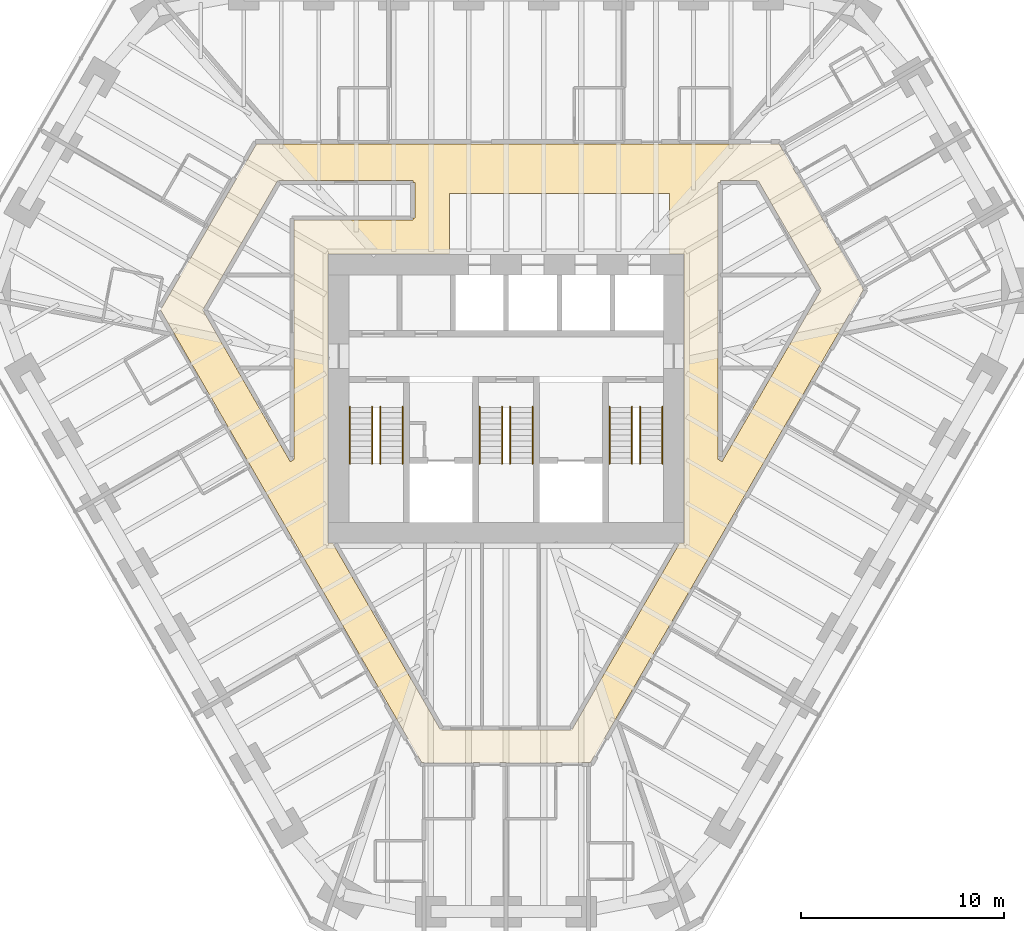
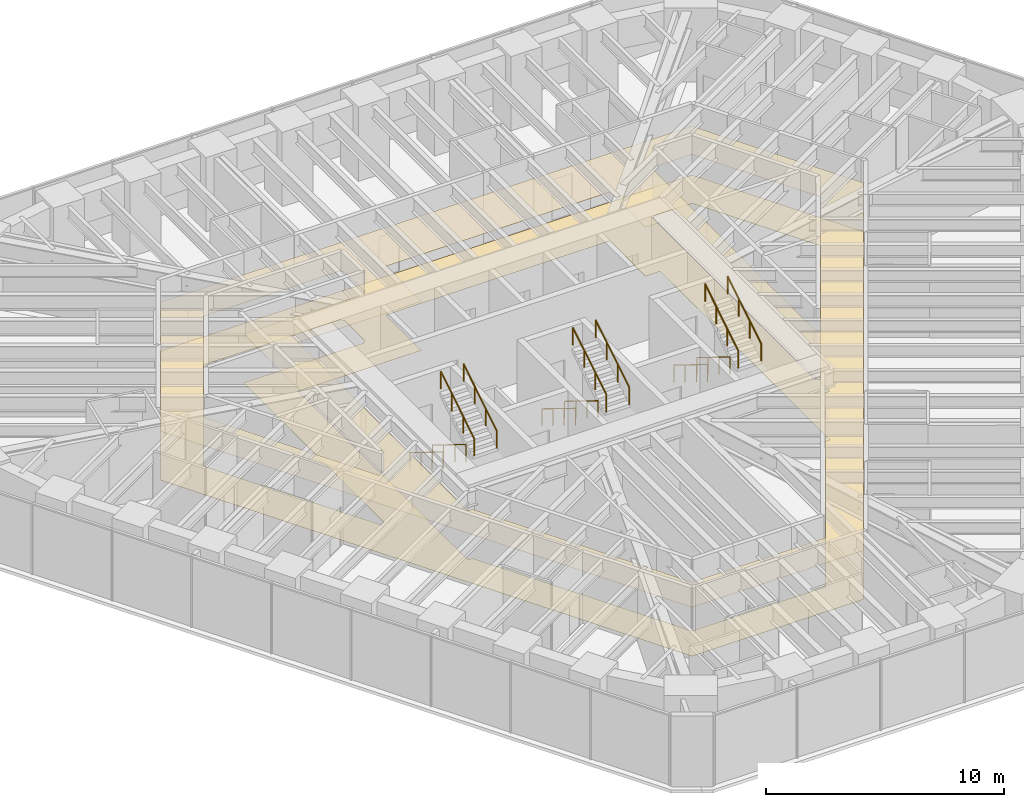
# One storey, part 17 of 17: 12 railings, 2 coverings.
"""IFC4 building model written with IfcOpenShell, lengths in metres."""

import ifcopenshell
import ifcopenshell.guid

model = None  # the IFC model being written
_history = None  # IfcOwnerHistory: only IFC2X3 demands one
_inside = {}  # id of a spatial element -> (the spatial element, [elements in it])
_under = {}  # id of a project, library or spatial element -> (it, [spatial elements below it])
_declared = {}  # id of a project -> (the project, [libraries it declares])
_typed = {}  # id of a type object -> (the type object, [elements of that type])
_made_of = {}  # id of a material, layer set ... -> (it, [elements and type objects made of it])


def new_model(schema):
    """Start an empty IFC model of exactly this schema.

    Asked for "IFC4X3", IfcOpenShell would pick the latest addendum, in which some entities
    have other attributes; the version numbers below select the first issue.
    IFC2X3 requires an IfcOwnerHistory on every rooted entity: one is made here for all.
    """
    global model, _history
    if schema == "IFC4X3":
        model = ifcopenshell.file(schema_version=(4, 3, 0, 0))
    else:
        model = ifcopenshell.file(schema=schema)
    _inside.clear()
    _under.clear()
    _declared.clear()
    _typed.clear()
    _made_of.clear()
    _history = None
    if model.schema == "IFC2X3":
        org = make("IfcOrganization", Name="unknown")
        user = make(
            "IfcPersonAndOrganization",
            ThePerson=make("IfcPerson", FamilyName="unknown"),
            TheOrganization=org,
        )
        app = make(
            "IfcApplication",
            ApplicationDeveloper=org,
            Version="unknown",
            ApplicationFullName="unknown",
            ApplicationIdentifier="unknown",
        )
        _history = make(
            "IfcOwnerHistory",
            OwningUser=user,
            OwningApplication=app,
            ChangeAction="ADDED",
            CreationDate=0,
        )
    return model


def make(cls, **values):
    """One entity of the class cls with the attributes given. An attribute that is None is left unset."""
    return model.create_entity(
        cls, **{name: value for name, value in values.items() if value is not None}
    )


def rooted(cls, **values):
    """An entity with a GlobalId (a new one), such as an element, a storey or a relation."""
    return make(cls, GlobalId=ifcopenshell.guid.new(), OwnerHistory=_history, **values)


def si_unit(unit_type, name, prefix=None):
    """IfcSIUnit, for example si_unit("LENGTHUNIT", "METRE", prefix="MILLI")."""
    return make("IfcSIUnit", UnitType=unit_type, Prefix=prefix, Name=name)


def assignment(units):
    """IfcUnitAssignment: the units of a project."""
    return None if units is None else make("IfcUnitAssignment", Units=units)


def point(xyz):
    """IfcCartesianPoint."""
    return None if xyz is None else make("IfcCartesianPoint", Coordinates=xyz)


def direction(xyz):
    """IfcDirection."""
    return None if xyz is None else make("IfcDirection", DirectionRatios=xyz)


def frame(location, z_axis=None, x_axis=None):
    """IfcAxis2Placement3D, a coordinate frame: its origin and axes. An axis left out is left unset."""
    return make(
        "IfcAxis2Placement3D",
        Location=point(location),
        Axis=direction(z_axis),
        RefDirection=direction(x_axis),
    )


def frame_2d(location, x_axis=None):
    """IfcAxis2Placement2D, a coordinate frame in the plane: its origin and x axis."""
    return make(
        "IfcAxis2Placement2D", Location=point(location), RefDirection=direction(x_axis)
    )


def origin():
    """The frame at (0, 0, 0) with its axes left unset."""
    return frame((0.0, 0.0, 0.0))


def origin_2d():
    """The frame at (0, 0) in the plane with its x axis left unset."""
    return frame_2d((0.0, 0.0))


def place(relative_to, where):
    """IfcLocalPlacement: puts the frame where relative to a parent placement (None: the world)."""
    return make(
        "IfcLocalPlacement", PlacementRelTo=relative_to, RelativePlacement=where
    )


def context(
    kind, dimensions, precision=None, world=None, true_north=None, identifier=None
):
    """IfcGeometricRepresentationContext, for example the 3D "Model" context."""
    return make(
        "IfcGeometricRepresentationContext",
        ContextIdentifier=identifier,
        ContextType=kind,
        CoordinateSpaceDimension=dimensions,
        Precision=precision,
        WorldCoordinateSystem=world,
        TrueNorth=true_north,
    )


def subcontext(parent, identifier, kind, view, scale=None):
    """IfcGeometricRepresentationSubContext, for example "Body" below "Model"."""
    return make(
        "IfcGeometricRepresentationSubContext",
        ContextIdentifier=identifier,
        ContextType=kind,
        ParentContext=parent,
        TargetScale=scale,
        TargetView=view,
    )


def project(units=None, contexts=None):
    """IfcProject with its units and contexts."""
    return rooted(
        "IfcProject",
        Name="project",
        RepresentationContexts=contexts,
        UnitsInContext=assignment(units),
    )


def spatial(cls, under=None, at=None, **own):
    """A site, building, storey or space (cls), placed at a placement, below another one or the project."""
    s = rooted(cls, ObjectPlacement=at, **own)
    if under is not None:
        _under.setdefault(under.id(), (under, []))[1].append(s)
    return s


def polyline(points):
    """IfcPolyline through the points."""
    return make("IfcPolyline", Points=[point(p) for p in points])


def profile(cls, at=None, kind="AREA", **sizes):
    """A parametric profile (cls). Its sizes go by their IFC names, for example OverallWidth=200.0."""
    return make(cls, ProfileType=kind, Position=at, **sizes)


def circle(**sizes):
    """IfcCircleProfileDef."""
    return profile("IfcCircleProfileDef", **sizes)


def outline(outer, holes=None, kind="AREA"):
    """IfcArbitraryClosedProfileDef: a profile drawn as a closed curve; with holes, ...WithVoids."""
    if holes is None:
        return make("IfcArbitraryClosedProfileDef", ProfileType=kind, OuterCurve=outer)
    return make(
        "IfcArbitraryProfileDefWithVoids",
        ProfileType=kind,
        OuterCurve=outer,
        InnerCurves=holes,
    )


def extrude(swept, where, along, depth):
    """IfcExtrudedAreaSolid: the profile swept, set in the frame where, extruded along a direction by depth."""
    return make(
        "IfcExtrudedAreaSolid",
        SweptArea=swept,
        Position=where,
        ExtrudedDirection=direction(along),
        Depth=depth,
    )


def shape(context_of_items, identifier, shape_type, items):
    """IfcShapeRepresentation: the items that make up one representation, for example the "Body"."""
    return make(
        "IfcShapeRepresentation",
        ContextOfItems=context_of_items,
        RepresentationIdentifier=identifier,
        RepresentationType=shape_type,
        Items=items,
    )


def material(Name=None, Category=None):
    """IfcMaterial."""
    return make("IfcMaterial", Name=Name, Category=Category)


def layer(
    of_material, thickness, ventilated=None, Name=None, Category=None, Priority=None
):
    """IfcMaterialLayer: one layer of a wall or slab, of a material (None: an air gap)."""
    return make(
        "IfcMaterialLayer",
        Material=of_material,
        LayerThickness=thickness,
        IsVentilated=ventilated,
        Name=Name,
        Category=Category,
        Priority=Priority,
    )


def layer_set(layers, Name=None):
    """IfcMaterialLayerSet."""
    return make("IfcMaterialLayerSet", MaterialLayers=layers, LayerSetName=Name)


def made_of(thing, what):
    """Note that an element or type object is made of a material, layer set ...; save() writes the relation."""
    if what is not None:
        _made_of.setdefault(what.id(), (what, []))[1].append(thing)
    return thing


def type_object(cls, material=None, **own):
    """A type object (cls), such as IfcWallType, which elements share."""
    return made_of(rooted(cls, **own), material)


def element(
    cls,
    number,
    at=None,
    inside=None,
    cuts=None,
    type_object=None,
    material=None,
    context=None,
    identifier="Body",
    shape_type=None,
    held_by="IfcProductDefinitionShape",
    body=None,
    shapes=None,
    **own,
):
    """One element of the class cls, such as IfcWall. Its Tag is "e" and its number.

    at: its placement. inside: the storey or other place that contains it. cuts: it is an
    opening in that element (IfcRelVoidsElement). A single representation is given by context,
    identifier, shape_type and body (its items); several are given by shapes. held_by: the class
    of the entity that holds the representations. save() writes the other relations.
    """
    e = rooted(cls, Tag="e%d" % number, ObjectPlacement=at, **own)
    if body is not None:
        shapes = [shape(context, identifier, shape_type, body)]
    if shapes is not None:
        e.Representation = make(held_by, Representations=shapes)
    if inside is not None:
        _inside.setdefault(inside.id(), (inside, []))[1].append(e)
    if cuts is not None:
        rooted(
            "IfcRelVoidsElement", RelatingBuildingElement=cuts, RelatedOpeningElement=e
        )
    if type_object is not None:
        _typed.setdefault(type_object.id(), (type_object, []))[1].append(e)
    return made_of(e, material)


def aggregate(whole, parts):
    """IfcRelAggregates: a whole, such as a stair, and the parts it consists of."""
    return rooted("IfcRelAggregates", RelatingObject=whole, RelatedObjects=parts)


def save(model, path):
    """Write the relations noted so far, then the file.

    IfcRelAggregates (storeys below a building ...), IfcRelContainedInSpatialStructure (elements
    in a storey), IfcRelDefinesByType, IfcRelAssociatesMaterial and IfcRelDeclares: one each for
    every whole, place, type object, material and project.
    """
    for whole, parts in _under.values():
        aggregate(whole, parts)
    for where, things in _inside.values():
        rooted(
            "IfcRelContainedInSpatialStructure",
            RelatedElements=things,
            RelatingStructure=where,
        )
    for kind, things in _typed.values():
        rooted("IfcRelDefinesByType", RelatedObjects=things, RelatingType=kind)
    for what, things in _made_of.values():
        rooted("IfcRelAssociatesMaterial", RelatedObjects=things, RelatingMaterial=what)
    for by, libraries in _declared.values():
        rooted("IfcRelDeclares", RelatingContext=by, RelatedDefinitions=libraries)
    model.write(path)


model = new_model("IFC4")

# Units and contexts
model_context = context("Model", 3, precision=1e-05, world=origin(), true_north=direction((0.0, 1.0)))
body_context = subcontext(model_context, "Body", "Model", "MODEL_VIEW")
ifc_project = project(units=[si_unit("LENGTHUNIT", "METRE"), si_unit("AREAUNIT", "SQUARE_METRE"), si_unit("VOLUMEUNIT", "CUBIC_METRE"), si_unit("PLANEANGLEUNIT", "RADIAN"), si_unit("MASSUNIT", "GRAM", prefix="KILO")], contexts=[model_context])

# Site, building, storey
site_placement = place(None, origin())
site = spatial("IfcSite", under=ifc_project, at=site_placement, CompositionType="ELEMENT")
building_placement = place(site_placement, origin())
building = spatial("IfcBuilding", under=site, at=building_placement, Name="Sandreach Pilgrim Tower", CompositionType="ELEMENT")
storey_placement = place(building_placement, frame((0.0, 0.0, 221.199951171875)))
storey = spatial("IfcBuildingStorey", under=building, at=storey_placement, Name="L55", CompositionType="ELEMENT", Elevation=221.199951171875)

# Coverings
ifc_material_1 = material(Name="Nylon carpet tile on the slab", Category="textile")
ifc_layer_1 = layer(ifc_material_1, 0.008056640625)
ifc_layer_set_1 = layer_set([ifc_layer_1], Name="Carpet tile")
covering_type_1 = type_object("IfcCoveringType", Name="Carpet tile", PredefinedType="FLOORING", material=ifc_layer_set_1)
covering_1_placement = place(storey_placement, origin())
element("IfcCovering", 1, at=covering_1_placement, inside=storey, type_object=covering_type_1, Name="Floor finish 55C Corridor 55", PredefinedType="FLOORING", context=body_context, shape_type="SweptSolid", body=[
    extrude(outline(polyline([(-17.0244140625, 4.369873046875), (-12.292236328125, 12.56005859375), (13.442138671875, 12.56005859375), (17.60302734375, 5.3671875), (4.15234375, -17.929931640625), (-4.15234375, -17.929931640625), (-17.0244140625, 4.369873046875)]), holes=[polyline([(10.449951171875, 10.659912109375), (10.449951171875, -2.9921875), (10.63671875, -3.10009765625), (15.525634765625, 5.370361328125), (12.40771484375, 10.760009765625), (10.56005859375, 10.760009765625), (10.56005859375, 10.66015625), (10.449951171875, 10.659912109375)]), polyline([(-3.227783203125, -16.330078125), (3.227783203125, -16.330078125), (8.542724609375, -7.1201171875), (8.77001953125, -7.1201171875), (8.77001953125, 7.1201171875), (8.050048828125, 7.1201171875), (8.050048828125, 10.10009765625), (-2.800048828125, 10.10009765625), (-2.800048828125, 7.1201171875), (-8.77001953125, 7.1201171875), (-8.77001953125, -7.1201171875), (-8.542724609375, -7.1201171875), (-3.227783203125, -16.330078125)]), polyline([(-14.945556640625, 4.370361328125), (-10.636474609375, -3.10009765625), (-10.449951171875, -2.9921875), (-10.449951171875, 8.800048828125), (-4.60009765625, 8.800048828125), (-4.60009765625, 8.909912109375), (-4.5, 8.909912109375), (-4.5, 10.64990234375), (-4.60009765625, 10.64990234375), (-4.60009765625, 10.760009765625), (-11.247802734375, 10.760009765625), (-14.945556640625, 4.370361328125)])]), origin(), (0.0, 0.0, 1.0), 0.008056640625),
])
ifc_material_2 = material(Name="Gypsum board suspended ceiling on a steel grid", Category="steel")
ifc_layer_2 = layer(ifc_material_2, 0.012939453125)
ifc_layer_set_2 = layer_set([ifc_layer_2], Name="Gypsum board suspended ceiling")
covering_type_2 = type_object("IfcCoveringType", Name="Gypsum board suspended ceiling", PredefinedType="CEILING", material=ifc_layer_set_2)
covering_2_placement = place(storey_placement, frame((0.0, 0.0, 2.5)))
element("IfcCovering", 2, at=covering_2_placement, inside=storey, type_object=covering_type_2, Name="Ceiling 55C Corridor 55", PredefinedType="CEILING", context=body_context, shape_type="SweptSolid", body=[
    extrude(outline(polyline([(-17.0244140625, 4.369873046875), (-12.292236328125, 12.56005859375), (13.442138671875, 12.56005859375), (17.60302734375, 5.3671875), (4.15234375, -17.929931640625), (-4.15234375, -17.929931640625), (-17.0244140625, 4.369873046875)]), holes=[polyline([(10.449951171875, 10.659912109375), (10.449951171875, -2.9921875), (10.63671875, -3.10009765625), (15.525634765625, 5.370361328125), (12.40771484375, 10.760009765625), (10.56005859375, 10.760009765625), (10.56005859375, 10.66015625), (10.449951171875, 10.659912109375)]), polyline([(-3.227783203125, -16.330078125), (3.227783203125, -16.330078125), (8.542724609375, -7.1201171875), (8.77001953125, -7.1201171875), (8.77001953125, 7.1201171875), (8.050048828125, 7.1201171875), (8.050048828125, 10.10009765625), (-2.800048828125, 10.10009765625), (-2.800048828125, 7.1201171875), (-8.77001953125, 7.1201171875), (-8.77001953125, -7.1201171875), (-8.542724609375, -7.1201171875), (-3.227783203125, -16.330078125)]), polyline([(-14.945556640625, 4.370361328125), (-10.636474609375, -3.10009765625), (-10.449951171875, -2.9921875), (-10.449951171875, 8.800048828125), (-4.60009765625, 8.800048828125), (-4.60009765625, 8.909912109375), (-4.5, 8.909912109375), (-4.5, 10.64990234375), (-4.60009765625, 10.64990234375), (-4.60009765625, 10.760009765625), (-11.247802734375, 10.760009765625), (-14.945556640625, 4.370361328125)])]), origin(), (0.0, 0.0, 1.0), 0.012939453125),
])

# Railings
ifc_material_3 = material(Name="Stainless steel tube", Category="steel")
railing_type = type_object("IfcRailingType", Name="Stair handrail", PredefinedType="HANDRAIL", material=ifc_material_3)
for number, where, name in (
    (3, (-6.60009765625, -0.39990234375, 0.1728515625), "Handrail ST1 L55 flight 1"),
    (4, (-7.699951171875, -0.39990234375, 0.1728515625), "Handrail ST1 L55 flight 1"),
):
    element("IfcRailing", number, at=place(storey_placement, frame(where)), inside=storey, type_object=railing_type, Name=name, PredefinedType="HANDRAIL", context=body_context, shape_type="SweptSolid", body=[
        extrude(circle(Radius=0.02392578125, at=origin_2d()), frame((0.0, 0.0, 0.8759765625), z_axis=(0.0, -0.851089632645, 0.525020415988), x_axis=(1.0, 0.0, 0.0)), (0.0, 0.0, 1.0), 3.2900390625),
        extrude(circle(Radius=0.02099609375, at=origin_2d()), origin(), (0.0, 0.0, 1.0), 0.851806640625),
        extrude(circle(Radius=0.02099609375, at=origin_2d()), frame((0.0, -0.933349609375, 0.57568359375)), (0.0, 0.0, 1.0), 0.851806640625),
        extrude(circle(Radius=0.02099609375, at=origin_2d()), frame((0.0, -1.86669921875, 1.151611328125)), (0.0, 0.0, 1.0), 0.851806640625),
        extrude(circle(Radius=0.02099609375, at=origin_2d()), frame((0.0, -2.800048828125, 1.727294921875)), (0.0, 0.0, 1.0), 0.851806640625),
    ])
for number, where, name in (
    (5, (-6.199951171875, -3.199951171875, 2.07275390625), "Handrail ST1 L55 flight 2"),
    (6, (-5.10009765625, -3.199951171875, 2.07275390625), "Handrail ST1 L55 flight 2"),
):
    element("IfcRailing", number, at=place(storey_placement, frame(where)), inside=storey, type_object=railing_type, Name=name, PredefinedType="HANDRAIL", context=body_context, shape_type="SweptSolid", body=[
        extrude(circle(Radius=0.02392578125, at=origin_2d()), frame((0.0, 0.0, 0.8759765625), z_axis=(0.0, 0.851089632645, 0.525020415988), x_axis=(-1.0, 0.0, 0.0)), (0.0, 0.0, 1.0), 3.2900390625),
        extrude(circle(Radius=0.02099609375, at=origin_2d()), origin(), (0.0, 0.0, 1.0), 0.851806640625),
        extrude(circle(Radius=0.02099609375, at=origin_2d()), frame((0.0, 0.933349609375, 0.57568359375)), (0.0, 0.0, 1.0), 0.851806640625),
        extrude(circle(Radius=0.02099609375, at=origin_2d()), frame((0.0, 1.86669921875, 1.151611328125)), (0.0, 0.0, 1.0), 0.851806640625),
        extrude(circle(Radius=0.02099609375, at=origin_2d()), frame((0.0, 2.800048828125, 1.727294921875)), (0.0, 0.0, 1.0), 0.851806640625),
    ])
for number, where, name in (
    (7, (-0.199951171875, -0.39990234375, 0.1728515625), "Handrail ST3 L55 flight 1"),
    (8, (-1.300048828125, -0.39990234375, 0.1728515625), "Handrail ST3 L55 flight 1"),
):
    element("IfcRailing", number, at=place(storey_placement, frame(where)), inside=storey, type_object=railing_type, Name=name, PredefinedType="HANDRAIL", context=body_context, shape_type="SweptSolid", body=[
        extrude(circle(Radius=0.02392578125, at=origin_2d()), frame((0.0, 0.0, 0.8759765625), z_axis=(0.0, -0.851089632645, 0.525020415988), x_axis=(1.0, 0.0, 0.0)), (0.0, 0.0, 1.0), 3.2900390625),
        extrude(circle(Radius=0.02099609375, at=origin_2d()), origin(), (0.0, 0.0, 1.0), 0.851806640625),
        extrude(circle(Radius=0.02099609375, at=origin_2d()), frame((0.0, -0.933349609375, 0.57568359375)), (0.0, 0.0, 1.0), 0.851806640625),
        extrude(circle(Radius=0.02099609375, at=origin_2d()), frame((0.0, -1.86669921875, 1.151611328125)), (0.0, 0.0, 1.0), 0.851806640625),
        extrude(circle(Radius=0.02099609375, at=origin_2d()), frame((0.0, -2.800048828125, 1.727294921875)), (0.0, 0.0, 1.0), 0.851806640625),
    ])
for number, where, name in (
    (9, (0.199951171875, -3.199951171875, 2.07275390625), "Handrail ST3 L55 flight 2"),
    (10, (1.300048828125, -3.199951171875, 2.07275390625), "Handrail ST3 L55 flight 2"),
):
    element("IfcRailing", number, at=place(storey_placement, frame(where)), inside=storey, type_object=railing_type, Name=name, PredefinedType="HANDRAIL", context=body_context, shape_type="SweptSolid", body=[
        extrude(circle(Radius=0.02392578125, at=origin_2d()), frame((0.0, 0.0, 0.8759765625), z_axis=(0.0, 0.851089632645, 0.525020415988), x_axis=(-1.0, 0.0, 0.0)), (0.0, 0.0, 1.0), 3.2900390625),
        extrude(circle(Radius=0.02099609375, at=origin_2d()), origin(), (0.0, 0.0, 1.0), 0.851806640625),
        extrude(circle(Radius=0.02099609375, at=origin_2d()), frame((0.0, 0.933349609375, 0.57568359375)), (0.0, 0.0, 1.0), 0.851806640625),
        extrude(circle(Radius=0.02099609375, at=origin_2d()), frame((0.0, 1.86669921875, 1.151611328125)), (0.0, 0.0, 1.0), 0.851806640625),
        extrude(circle(Radius=0.02099609375, at=origin_2d()), frame((0.0, 2.800048828125, 1.727294921875)), (0.0, 0.0, 1.0), 0.851806640625),
    ])
for number, where, name in (
    (11, (6.199951171875, -0.39990234375, 0.1728515625), "Handrail ST2 L55 flight 1"),
    (12, (5.10009765625, -0.39990234375, 0.1728515625), "Handrail ST2 L55 flight 1"),
):
    element("IfcRailing", number, at=place(storey_placement, frame(where)), inside=storey, type_object=railing_type, Name=name, PredefinedType="HANDRAIL", context=body_context, shape_type="SweptSolid", body=[
        extrude(circle(Radius=0.02392578125, at=origin_2d()), frame((0.0, 0.0, 0.8759765625), z_axis=(0.0, -0.851089632645, 0.525020415988), x_axis=(1.0, 0.0, 0.0)), (0.0, 0.0, 1.0), 3.2900390625),
        extrude(circle(Radius=0.02099609375, at=origin_2d()), origin(), (0.0, 0.0, 1.0), 0.851806640625),
        extrude(circle(Radius=0.02099609375, at=origin_2d()), frame((0.0, -0.933349609375, 0.57568359375)), (0.0, 0.0, 1.0), 0.851806640625),
        extrude(circle(Radius=0.02099609375, at=origin_2d()), frame((0.0, -1.86669921875, 1.151611328125)), (0.0, 0.0, 1.0), 0.851806640625),
        extrude(circle(Radius=0.02099609375, at=origin_2d()), frame((0.0, -2.800048828125, 1.727294921875)), (0.0, 0.0, 1.0), 0.851806640625),
    ])
for number, where, name in (
    (13, (6.60009765625, -3.199951171875, 2.07275390625), "Handrail ST2 L55 flight 2"),
    (14, (7.699951171875, -3.199951171875, 2.07275390625), "Handrail ST2 L55 flight 2"),
):
    element("IfcRailing", number, at=place(storey_placement, frame(where)), inside=storey, type_object=railing_type, Name=name, PredefinedType="HANDRAIL", context=body_context, shape_type="SweptSolid", body=[
        extrude(circle(Radius=0.02392578125, at=origin_2d()), frame((0.0, 0.0, 0.8759765625), z_axis=(0.0, 0.851089632645, 0.525020415988), x_axis=(-1.0, 0.0, 0.0)), (0.0, 0.0, 1.0), 3.2900390625),
        extrude(circle(Radius=0.02099609375, at=origin_2d()), origin(), (0.0, 0.0, 1.0), 0.851806640625),
        extrude(circle(Radius=0.02099609375, at=origin_2d()), frame((0.0, 0.933349609375, 0.57568359375)), (0.0, 0.0, 1.0), 0.851806640625),
        extrude(circle(Radius=0.02099609375, at=origin_2d()), frame((0.0, 1.86669921875, 1.151611328125)), (0.0, 0.0, 1.0), 0.851806640625),
        extrude(circle(Radius=0.02099609375, at=origin_2d()), frame((0.0, 2.800048828125, 1.727294921875)), (0.0, 0.0, 1.0), 0.851806640625),
    ])

save(model, "model.ifc")
